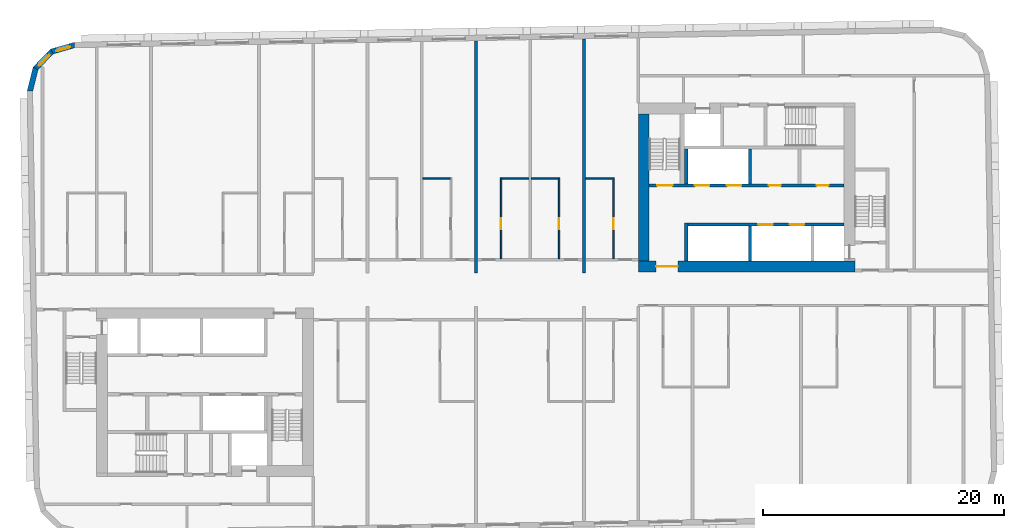
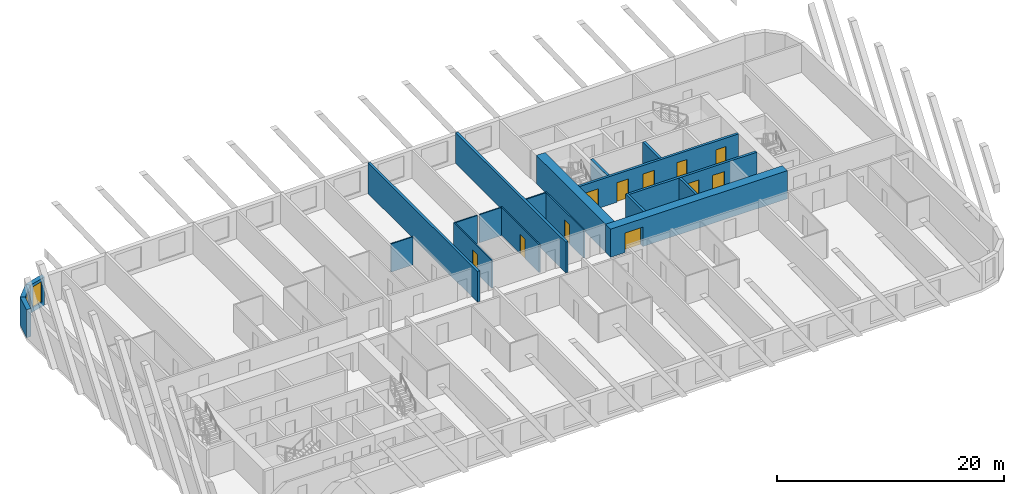
# One storey, part 5 of 12: 20 walls, 11 doors, 2 windows, 13 openings.
"""IFC4 building model written with IfcOpenShell, lengths in metres."""

from ifc_helpers import new_model, si_unit, direction, frame, frame_2d, origin, place, context, subcontext, project, spatial, polyline, rectangle, outline, extrude, material, layer, layer_set, type_object, element, fill, save


model = new_model("IFC4")

# Units and contexts
model_context = context("Model", 3, precision=1e-05, world=origin(), true_north=direction((0.0, 1.0)))
body_context = subcontext(model_context, "Body", "Model", "MODEL_VIEW")
ifc_project = project(units=[si_unit("LENGTHUNIT", "METRE"), si_unit("AREAUNIT", "SQUARE_METRE"), si_unit("VOLUMEUNIT", "CUBIC_METRE"), si_unit("PLANEANGLEUNIT", "RADIAN"), si_unit("MASSUNIT", "GRAM", prefix="KILO")], contexts=[model_context])

# Site, building, storey
site_placement = place(None, origin())
site = spatial("IfcSite", under=ifc_project, at=site_placement, CompositionType="ELEMENT")
building_placement = place(site_placement, origin())
building = spatial("IfcBuilding", under=site, at=building_placement, Name="Kajstack Hotel Tower", CompositionType="ELEMENT")
storey_placement = place(building_placement, frame((0.0, 0.0, 217.699951171875)))
storey = spatial("IfcBuildingStorey", under=building, at=storey_placement, Name="L52", CompositionType="ELEMENT", Elevation=217.699951171875)

# Wall, opening, door
ifc_material_1 = material(Name="Concrete C60/75", Category="concrete")
ifc_layer_1 = layer(ifc_material_1, 0.89990234375)
ifc_layer_set_1 = layer_set([ifc_layer_1], Name="Core wall 900")
wall_type_1 = type_object("IfcWallType", Name="Core wall 900", PredefinedType="SHEAR", material=ifc_layer_set_1)
wall_1_placement = place(storey_placement, frame((13.5, 1.949951171875, 0.0), z_axis=(0.0, 0.0, 1.0), x_axis=(1.0, 0.0, 0.0)))
wall_1 = element("IfcWall", 1, at=wall_1_placement, inside=storey, type_object=wall_type_1, Name="Core wall E RN", PredefinedType="SHEAR", context=body_context, shape_type="SweptSolid", body=[
    extrude(rectangle(XDim=18.0, YDim=0.89990234375, at=frame_2d((9.0, 0.0))), origin(), (0.0, 0.0, 1.0), 3.02001953125),
])
opening_1_placement = place(wall_1_placement, frame((1.47509765625, 0.0, 0.0)))
opening_1 = element("IfcOpeningElement", 2, at=opening_1_placement, cuts=wall_1, Name="Opening 52E07", PredefinedType="OPENING", context=body_context, shape_type="SweptSolid", body=[
    extrude(rectangle(XDim=1.800048828125, YDim=2.10009765625, at=frame_2d((0.89990234375, 1.050048828125))), frame((0.0, 0.4599609375, 0.0), z_axis=(0.0, -1.0, 0.0), x_axis=(1.0, 0.0, 0.0)), (0.0, 0.0, 1.0), 0.919921875),
])
ifc_material_2 = material(Name="Glazed steel frame, fire-rated glass", Category="steel")
door_type_1 = type_object("IfcDoorType", Name="Lobby double door 1800", OperationType="DOUBLE_DOOR_DOUBLE_SWING", PredefinedType="DOOR", material=ifc_material_2)
door_1_placement = place(opening_1_placement, origin())
door_1 = element("IfcDoor", 3, at=door_1_placement, inside=storey, type_object=door_type_1, Name="Door 52E07", OperationType="DOUBLE_DOOR_DOUBLE_SWING", OverallHeight=2.10009765625, OverallWidth=1.800048828125, PredefinedType="DOOR", context=body_context, shape_type="SweptSolid", body=[
    extrude(rectangle(XDim=1.800048828125, YDim=2.10009765625, at=frame_2d((0.89990234375, 1.050048828125))), frame((0.0, 0.02490234375, 0.0), z_axis=(0.0, -1.0, 0.0), x_axis=(1.0, 0.0, 0.0)), (0.0, 0.0, 1.0), 0.050048828125),
])
fill(opening_1, door_1)

# Wall
wall_2_placement = place(storey_placement, frame((13.949951171875, 2.39990234375, 0.0), z_axis=(0.0, 0.0, 1.0), x_axis=(0.0, 1.0, 0.0)))
element("IfcWall", 4, at=wall_2_placement, inside=storey, type_object=wall_type_1, Name="Core wall E RE", PredefinedType="SHEAR", context=body_context, shape_type="SweptSolid", body=[
    extrude(rectangle(XDim=12.2001953125, YDim=0.89990234375, at=frame_2d((6.10009765625, 0.0))), origin(), (0.0, 0.0, 1.0), 3.02001953125),
])

# Wall, opening, window
ifc_material_3 = material(Name="Terracotta-faced brick masonry", Category="masonry")
ifc_layer_2 = layer(ifc_material_3, 0.449951171875)
ifc_layer_set_2 = layer_set([ifc_layer_2], Name="EW-TERRA")
wall_type_2 = type_object("IfcWallType", Name="EW-TERRA", PredefinedType="SOLIDWALL", material=ifc_layer_set_2)
wall_3_placement = place(storey_placement, frame((-33.290283203125, 20.352294921875, 0.0), z_axis=(0.0, 0.0, 1.0), x_axis=(-0.961247584925, -0.275686562016, 0.0)))
wall_3 = element("IfcWall", 5, at=wall_3_placement, inside=storey, type_object=wall_type_2, Name="E-wall-L52-13-00", PredefinedType="SOLIDWALL", context=body_context, shape_type="SweptSolid", body=[
    extrude(outline(polyline([(0.0, -0.22509765625), (2.070556640625, -0.22509765625), (1.949951171875, 0.224853515625), (0.12060546875, 0.224853515625), (0.0, -0.22509765625)])), origin(), (0.0, 0.0, 1.0), 3.02001953125),
])
opening_2_placement = place(wall_3_placement, frame((0.435302734375, 0.0, 0.449951171875)))
opening_2 = element("IfcOpeningElement", 6, at=opening_2_placement, cuts=wall_3, Name="Opening W3", PredefinedType="OPENING", context=body_context, shape_type="SweptSolid", body=[
    extrude(rectangle(XDim=1.199951171875, YDim=2.25, at=frame_2d((0.60009765625, 1.125))), frame((0.0, 0.23486328125, 0.0), z_axis=(0.0, -1.0, 0.0), x_axis=(1.0, 0.0, 0.0)), (0.0, 0.0, 1.0), 0.469970703125),
])
ifc_material_4 = material(Name="Timber-aluminium window, triple glazed", Category="wood")
window_type = type_object("IfcWindowType", Name="WG3", PartitioningType="SINGLE_PANEL", PredefinedType="WINDOW", material=ifc_material_4)
window_1_placement = place(opening_2_placement, origin())
window_1 = element("IfcWindow", 7, at=window_1_placement, inside=storey, type_object=window_type, Name="Window W3 L52-13", OverallHeight=2.25, OverallWidth=1.199951171875, PartitioningType="SINGLE_PANEL", PredefinedType="WINDOW", context=body_context, shape_type="SweptSolid", body=[
    extrude(rectangle(XDim=1.199951171875, YDim=2.25, at=frame_2d((0.60009765625, 1.125))), frame((0.0, 0.090087890625, 0.0), z_axis=(0.0, -1.0, 0.0), x_axis=(1.0, 0.0, 0.0)), (0.0, 0.0, 1.0), 0.06005859375),
])
fill(opening_2, window_1)

wall_4_placement = place(storey_placement, frame((-35.1806640625, 19.841552734375, 0.0), z_axis=(0.0, 0.0, 1.0), x_axis=(-0.694678672846, -0.719320193998, 0.0)))
wall_4 = element("IfcWall", 8, at=wall_4_placement, inside=storey, type_object=wall_type_2, Name="E-wall-L52-14-00", PredefinedType="SOLIDWALL", context=body_context, shape_type="SweptSolid", body=[
    extrude(outline(polyline([(0.0, -0.22509765625), (2.07080078125, -0.22509765625), (1.9501953125, 0.224853515625), (0.12060546875, 0.224853515625), (0.0, -0.22509765625)])), origin(), (0.0, 0.0, 1.0), 3.02001953125),
])
opening_3_placement = place(wall_4_placement, frame((0.435302734375, 0.0, 0.449951171875)))
opening_3 = element("IfcOpeningElement", 9, at=opening_3_placement, cuts=wall_4, Name="Opening W3", PredefinedType="OPENING", context=body_context, shape_type="SweptSolid", body=[
    extrude(rectangle(XDim=1.199951171875, YDim=2.25, at=frame_2d((0.60009765625, 1.125))), frame((0.0, 0.23486328125, 0.0), z_axis=(0.0, -1.0, 0.0), x_axis=(1.0, 0.0, 0.0)), (0.0, 0.0, 1.0), 0.469970703125),
])
window_2_placement = place(opening_3_placement, origin())
window_2 = element("IfcWindow", 10, at=window_2_placement, inside=storey, type_object=window_type, Name="Window W3 L52-14", OverallHeight=2.25, OverallWidth=1.199951171875, PartitioningType="SINGLE_PANEL", PredefinedType="WINDOW", context=body_context, shape_type="SweptSolid", body=[
    extrude(rectangle(XDim=1.199951171875, YDim=2.25, at=frame_2d((0.60009765625, 1.125))), frame((0.0, 0.090087890625, 0.0), z_axis=(0.0, -1.0, 0.0), x_axis=(1.0, 0.0, 0.0)), (0.0, 0.0, 1.0), 0.06005859375),
])
fill(opening_3, window_2)

# Walls
wall_5_placement = place(storey_placement, frame((-36.562744140625, 18.453857421875, 0.0), z_axis=(0.0, 0.0, 1.0), x_axis=(-0.241869623482, -0.970308757683, 0.0)))
element("IfcWall", 11, at=wall_5_placement, inside=storey, type_object=wall_type_2, Name="E-wall-L52-15-00", PredefinedType="SOLIDWALL", context=body_context, shape_type="SweptSolid", body=[
    extrude(outline(polyline([(-0.000244140625, -0.224853515625), (2.0703125, -0.22509765625), (1.94970703125, 0.224853515625), (0.120361328125, 0.22509765625), (-0.000244140625, -0.224853515625)])), origin(), (0.0, 0.0, 1.0), 3.02001953125),
])
ifc_material_5 = material(Name="Gypsum board and tiled backer on steel studs", Category="steel")
ifc_layer_3 = layer(ifc_material_5, 0.125)
ifc_layer_set_3 = layer_set([ifc_layer_3], Name="En-suite wall 125")
wall_type_3 = type_object("IfcWallType", Name="En-suite wall 125", PredefinedType="PARTITIONING", material=ifc_layer_set_3)
wall_6_placement = place(storey_placement, frame((-4.39990234375, 9.261962890625, 0.0), z_axis=(0.0, 0.0, 1.0), x_axis=(1.0, 0.0, 0.0)))
element("IfcWall", 12, at=wall_6_placement, inside=storey, type_object=wall_type_3, Name="G-wall-L52-021", PredefinedType="PARTITIONING", context=body_context, shape_type="SweptSolid", body=[
    extrude(rectangle(XDim=2.25, YDim=0.125, at=frame_2d((1.125, 0.0))), origin(), (0.0, 0.0, 1.0), 3.02001953125),
])

# Wall, opening, door
wall_7_placement = place(storey_placement, frame((2.0869140625, 2.60009765625, 0.0), z_axis=(0.0, 0.0, 1.0), x_axis=(0.0, 1.0, 0.0)))
wall_7 = element("IfcWall", 13, at=wall_7_placement, inside=storey, type_object=wall_type_3, Name="G-wall-L52-023", PredefinedType="PARTITIONING", context=body_context, shape_type="SweptSolid", body=[
    extrude(rectangle(XDim=6.724853515625, YDim=0.125, at=frame_2d((3.3623046875, 0.0))), origin(), (0.0, 0.0, 1.0), 3.02001953125),
])
opening_4_placement = place(wall_7_placement, frame((2.449951171875, 0.0, 0.0)))
opening_4 = element("IfcOpeningElement", 14, at=opening_4_placement, cuts=wall_7, Name="Opening 52016", PredefinedType="OPENING", context=body_context, shape_type="SweptSolid", body=[
    extrude(rectangle(XDim=0.89990234375, YDim=2.10009765625, at=frame_2d((0.449951171875, 1.050048828125))), frame((0.0, 0.072509765625, 0.0), z_axis=(0.0, -1.0, 0.0), x_axis=(1.0, 0.0, 0.0)), (0.0, 0.0, 1.0), 0.14501953125),
])
ifc_material_6 = material(Name="Painted timber door leaf", Category="wood")
door_type_2 = type_object("IfcDoorType", Name="Room door 900", OperationType="SINGLE_SWING_LEFT", PredefinedType="DOOR", material=ifc_material_6)
door_2_placement = place(opening_4_placement, origin())
door_2 = element("IfcDoor", 15, at=door_2_placement, inside=storey, type_object=door_type_2, Name="G-door-L52-16", OperationType="SINGLE_SWING_RIGHT", OverallHeight=2.10009765625, OverallWidth=0.89990234375, PredefinedType="DOOR", context=body_context, shape_type="SweptSolid", body=[
    extrude(rectangle(XDim=0.89990234375, YDim=2.10009765625, at=frame_2d((0.449951171875, 1.050048828125))), frame((0.0, 0.02490234375, 0.0), z_axis=(0.0, -1.0, 0.0), x_axis=(1.0, 0.0, 0.0)), (0.0, 0.0, 1.0), 0.050048828125),
])
fill(opening_4, door_2)

# Wall
wall_8_placement = place(storey_placement, frame((2.14990234375, 9.261962890625, 0.0), z_axis=(0.0, 0.0, 1.0), x_axis=(1.0, 0.0, 0.0)))
element("IfcWall", 16, at=wall_8_placement, inside=storey, type_object=wall_type_3, Name="G-wall-L52-024", PredefinedType="PARTITIONING", context=body_context, shape_type="SweptSolid", body=[
    extrude(rectangle(XDim=2.25, YDim=0.125, at=frame_2d((1.125, 0.0))), origin(), (0.0, 0.0, 1.0), 3.02001953125),
])

# Wall, opening, door
wall_9_placement = place(storey_placement, frame((6.912109375, 2.60009765625, 0.0), z_axis=(0.0, 0.0, 1.0), x_axis=(0.0, 1.0, 0.0)))
wall_9 = element("IfcWall", 17, at=wall_9_placement, inside=storey, type_object=wall_type_3, Name="G-wall-L52-025", PredefinedType="PARTITIONING", context=body_context, shape_type="SweptSolid", body=[
    extrude(rectangle(XDim=6.724853515625, YDim=0.125, at=frame_2d((3.3623046875, 0.0))), origin(), (0.0, 0.0, 1.0), 3.02001953125),
])
opening_5_placement = place(wall_9_placement, frame((2.449951171875, 0.0, 0.0)))
opening_5 = element("IfcOpeningElement", 18, at=opening_5_placement, cuts=wall_9, Name="Opening 52018", PredefinedType="OPENING", context=body_context, shape_type="SweptSolid", body=[
    extrude(rectangle(XDim=0.89990234375, YDim=2.10009765625, at=frame_2d((0.449951171875, 1.050048828125))), frame((0.0, 0.072509765625, 0.0), z_axis=(0.0, -1.0, 0.0), x_axis=(1.0, 0.0, 0.0)), (0.0, 0.0, 1.0), 0.14501953125),
])
door_3_placement = place(opening_5_placement, origin())
door_3 = element("IfcDoor", 19, at=door_3_placement, inside=storey, type_object=door_type_2, Name="G-door-L52-18", OperationType="SINGLE_SWING_RIGHT", OverallHeight=2.10009765625, OverallWidth=0.89990234375, PredefinedType="DOOR", context=body_context, shape_type="SweptSolid", body=[
    extrude(rectangle(XDim=0.89990234375, YDim=2.10009765625, at=frame_2d((0.449951171875, 1.050048828125))), frame((0.0, 0.02490234375, 0.0), z_axis=(0.0, -1.0, 0.0), x_axis=(1.0, 0.0, 0.0)), (0.0, 0.0, 1.0), 0.050048828125),
])
fill(opening_5, door_3)

# Wall
wall_10_placement = place(storey_placement, frame((4.60009765625, 9.261962890625, 0.0), z_axis=(0.0, 0.0, 1.0), x_axis=(1.0, 0.0, 0.0)))
element("IfcWall", 20, at=wall_10_placement, inside=storey, type_object=wall_type_3, Name="G-wall-L52-026", PredefinedType="PARTITIONING", context=body_context, shape_type="SweptSolid", body=[
    extrude(rectangle(XDim=2.25, YDim=0.125, at=frame_2d((1.125, 0.0))), origin(), (0.0, 0.0, 1.0), 3.02001953125),
])

# Wall, opening, door
wall_11_placement = place(storey_placement, frame((11.43798828125, 2.60009765625, 0.0), z_axis=(0.0, 0.0, 1.0), x_axis=(0.0, 1.0, 0.0)))
wall_11 = element("IfcWall", 21, at=wall_11_placement, inside=storey, type_object=wall_type_3, Name="G-wall-L52-027", PredefinedType="PARTITIONING", context=body_context, shape_type="SweptSolid", body=[
    extrude(rectangle(XDim=6.724853515625, YDim=0.125, at=frame_2d((3.3623046875, 0.0))), origin(), (0.0, 0.0, 1.0), 3.02001953125),
])
opening_6_placement = place(wall_11_placement, frame((2.449951171875, 0.0, 0.0)))
opening_6 = element("IfcOpeningElement", 22, at=opening_6_placement, cuts=wall_11, Name="Opening 52020", PredefinedType="OPENING", context=body_context, shape_type="SweptSolid", body=[
    extrude(rectangle(XDim=0.89990234375, YDim=2.10009765625, at=frame_2d((0.449951171875, 1.050048828125))), frame((0.0, 0.072509765625, 0.0), z_axis=(0.0, -1.0, 0.0), x_axis=(1.0, 0.0, 0.0)), (0.0, 0.0, 1.0), 0.14501953125),
])
door_4_placement = place(opening_6_placement, origin())
door_4 = element("IfcDoor", 23, at=door_4_placement, inside=storey, type_object=door_type_2, Name="G-door-L52-20", OperationType="SINGLE_SWING_LEFT", OverallHeight=2.10009765625, OverallWidth=0.89990234375, PredefinedType="DOOR", context=body_context, shape_type="SweptSolid", body=[
    extrude(rectangle(XDim=0.89990234375, YDim=2.10009765625, at=frame_2d((0.449951171875, 1.050048828125))), frame((0.0, 0.02490234375, 0.0), z_axis=(0.0, -1.0, 0.0), x_axis=(1.0, 0.0, 0.0)), (0.0, 0.0, 1.0), 0.050048828125),
])
fill(opening_6, door_4)

# Walls
wall_12_placement = place(storey_placement, frame((9.125, 9.261962890625, 0.0), z_axis=(0.0, 0.0, 1.0), x_axis=(1.0, 0.0, 0.0)))
element("IfcWall", 24, at=wall_12_placement, inside=storey, type_object=wall_type_3, Name="G-wall-L52-028", PredefinedType="PARTITIONING", context=body_context, shape_type="SweptSolid", body=[
    extrude(rectangle(XDim=2.25, YDim=0.125, at=frame_2d((1.125, 0.0))), origin(), (0.0, 0.0, 1.0), 3.02001953125),
])
ifc_material_7 = material(Name="Concrete C50/60", Category="concrete")
ifc_layer_4 = layer(ifc_material_7, 0.300048828125)
ifc_layer_set_4 = layer_set([ifc_layer_4], Name="Hoistway divider wall 300")
wall_type_4 = type_object("IfcWallType", Name="Hoistway divider wall 300", PredefinedType="SHEAR", material=ifc_layer_set_4)
wall_13_placement = place(storey_placement, frame((22.77490234375, 2.39990234375, 0.0), z_axis=(0.0, 0.0, 1.0), x_axis=(0.0, 1.0, 0.0)))
element("IfcWall", 25, at=wall_13_placement, inside=storey, type_object=wall_type_4, Name="Core wall E AP2", PredefinedType="SHEAR", context=body_context, shape_type="SweptSolid", body=[
    extrude(rectangle(XDim=2.900146484375, YDim=0.25, at=frame_2d((1.4501953125, 0.0))), origin(), (0.0, 0.0, 1.0), 3.02001953125),
])
wall_14_placement = place(storey_placement, frame((22.77490234375, 8.800048828125, 0.0), z_axis=(0.0, 0.0, 1.0), x_axis=(0.0, 1.0, 0.0)))
element("IfcWall", 26, at=wall_14_placement, inside=storey, type_object=wall_type_4, Name="Core wall E BP2", PredefinedType="SHEAR", context=body_context, shape_type="SweptSolid", body=[
    extrude(rectangle(XDim=2.89990234375, YDim=0.25, at=frame_2d((1.449951171875, 0.0))), origin(), (0.0, 0.0, 1.0), 3.02001953125),
])
ifc_material_8 = material(Name="Concrete C45/55", Category="concrete")
ifc_layer_5 = layer(ifc_material_8, 0.25)
ifc_layer_set_5 = layer_set([ifc_layer_5], Name="RC cross wall 250 C45/55")
wall_type_5 = type_object("IfcWallType", Name="RC cross wall 250 C45/55", PredefinedType="SHEAR", material=ifc_layer_set_5)
wall_15_placement = place(storey_placement, frame((0.0, 1.39990234375, 0.0), z_axis=(0.0, 0.0, 1.0), x_axis=(0.0, 1.0, 0.0)))
element("IfcWall", 27, at=wall_15_placement, inside=storey, type_object=wall_type_5, Name="S-wall-L52-07", PredefinedType="SHEAR", context=body_context, shape_type="SweptSolid", body=[
    extrude(rectangle(XDim=19.28857421875, YDim=0.25, at=frame_2d((9.644287109375, 0.0))), origin(), (0.0, 0.0, 1.0), 3.300048828125),
])
wall_16_placement = place(storey_placement, frame((9.0, 1.39990234375, 0.0), z_axis=(0.0, 0.0, 1.0), x_axis=(0.0, 1.0, 0.0)))
element("IfcWall", 28, at=wall_16_placement, inside=storey, type_object=wall_type_5, Name="S-wall-L52-09", PredefinedType="SHEAR", context=body_context, shape_type="SweptSolid", body=[
    extrude(rectangle(XDim=19.44580078125, YDim=0.25, at=frame_2d((9.722900390625, 0.0))), origin(), (0.0, 0.0, 1.0), 3.300048828125),
])

# Wall, openings, doors
ifc_layer_6 = layer(ifc_material_7, 0.25)
ifc_layer_set_6 = layer_set([ifc_layer_6], Name="Shaft wall 250")
wall_type_6 = type_object("IfcWallType", Name="Shaft wall 250", PredefinedType="SHEAR", material=ifc_layer_set_6)
wall_17_placement = place(storey_placement, frame((17.60009765625, 5.425048828125, 0.0), z_axis=(0.0, 0.0, 1.0), x_axis=(1.0, 0.0, 0.0)))
wall_17 = element("IfcWall", 29, at=wall_17_placement, inside=storey, type_object=wall_type_6, Name="Core wall E FA", PredefinedType="SHEAR", context=body_context, shape_type="SweptSolid", body=[
    extrude(rectangle(XDim=13.0, YDim=0.25, at=frame_2d((6.5, 0.0))), origin(), (0.0, 0.0, 1.0), 3.02001953125),
])
opening_7_placement = place(wall_17_placement, frame((8.47509765625, 0.0, 0.0)))
opening_7 = element("IfcOpeningElement", 30, at=opening_7_placement, cuts=wall_17, Name="Opening LD-MR7", PredefinedType="OPENING", context=body_context, shape_type="SweptSolid", body=[
    extrude(rectangle(XDim=1.199951171875, YDim=2.10009765625, at=frame_2d((0.60009765625, 1.050048828125))), frame((0.0, 0.135009765625, 0.0), z_axis=(0.0, -1.0, 0.0), x_axis=(1.0, 0.0, 0.0)), (0.0, 0.0, 1.0), 0.27001953125),
])
opening_8_placement = place(wall_17_placement, frame((5.875, 0.0, 0.0)))
opening_8 = element("IfcOpeningElement", 31, at=opening_8_placement, cuts=wall_17, Name="Opening LD-MR8", PredefinedType="OPENING", context=body_context, shape_type="SweptSolid", body=[
    extrude(rectangle(XDim=1.199951171875, YDim=2.10009765625, at=frame_2d((0.60009765625, 1.050048828125))), frame((0.0, 0.135009765625, 0.0), z_axis=(0.0, -1.0, 0.0), x_axis=(1.0, 0.0, 0.0)), (0.0, 0.0, 1.0), 0.27001953125),
])
ifc_material_9 = material(Name="Stainless steel", Category="steel")
door_type_3 = type_object("IfcDoorType", Name="Lift landing door 1200", OperationType="SLIDING_TO_LEFT", PredefinedType="DOOR", material=ifc_material_9)
door_5_placement = place(opening_7_placement, origin())
door_5 = element("IfcDoor", 32, at=door_5_placement, inside=storey, type_object=door_type_3, Name="Landing door MR7", OperationType="SLIDING_TO_LEFT", OverallHeight=2.10009765625, OverallWidth=1.199951171875, PredefinedType="DOOR", context=body_context, shape_type="SweptSolid", body=[
    extrude(rectangle(XDim=1.199951171875, YDim=2.10009765625, at=frame_2d((0.60009765625, 1.050048828125))), frame((0.0, 0.02490234375, 0.0), z_axis=(0.0, -1.0, 0.0), x_axis=(1.0, 0.0, 0.0)), (0.0, 0.0, 1.0), 0.050048828125),
])
fill(opening_7, door_5)
door_6_placement = place(opening_8_placement, origin())
door_6 = element("IfcDoor", 33, at=door_6_placement, inside=storey, type_object=door_type_3, Name="Landing door MR8", OperationType="SLIDING_TO_RIGHT", OverallHeight=2.10009765625, OverallWidth=1.199951171875, PredefinedType="DOOR", context=body_context, shape_type="SweptSolid", body=[
    extrude(rectangle(XDim=1.199951171875, YDim=2.10009765625, at=frame_2d((0.60009765625, 1.050048828125))), frame((0.0, 0.02490234375, 0.0), z_axis=(0.0, -1.0, 0.0), x_axis=(1.0, 0.0, 0.0)), (0.0, 0.0, 1.0), 0.050048828125),
])
fill(opening_8, door_6)

# Wall
wall_18_placement = place(storey_placement, frame((17.47509765625, 2.39990234375, 0.0), z_axis=(0.0, 0.0, 1.0), x_axis=(0.0, 1.0, 0.0)))
element("IfcWall", 34, at=wall_18_placement, inside=storey, type_object=wall_type_6, Name="Core wall E AE", PredefinedType="SHEAR", context=body_context, shape_type="SweptSolid", body=[
    extrude(rectangle(XDim=3.150146484375, YDim=0.25, at=frame_2d((1.5751953125, 0.0))), origin(), (0.0, 0.0, 1.0), 3.02001953125),
])

# Wall, openings, doors
wall_19_placement = place(storey_placement, frame((14.39990234375, 8.675048828125, 0.0), z_axis=(0.0, 0.0, 1.0), x_axis=(1.0, 0.0, 0.0)))
wall_19 = element("IfcWall", 35, at=wall_19_placement, inside=storey, type_object=wall_type_6, Name="Core wall E FB", PredefinedType="SHEAR", context=body_context, shape_type="SweptSolid", body=[
    extrude(rectangle(XDim=16.2001953125, YDim=0.25, at=frame_2d((8.10009765625, 0.0))), origin(), (0.0, 0.0, 1.0), 3.02001953125),
])
opening_9_placement = place(wall_19_placement, frame((6.449951171875, 0.0, 0.0)))
opening_9 = element("IfcOpeningElement", 36, at=opening_9_placement, cuts=wall_19, Name="Opening LD-MR5", PredefinedType="OPENING", context=body_context, shape_type="SweptSolid", body=[
    extrude(rectangle(XDim=1.199951171875, YDim=2.10009765625, at=frame_2d((0.60009765625, 1.050048828125))), frame((0.0, 0.135009765625, 0.0), z_axis=(0.0, -1.0, 0.0), x_axis=(1.0, 0.0, 0.0)), (0.0, 0.0, 1.0), 0.27001953125),
])
opening_10_placement = place(wall_19_placement, frame((3.800048828125, 0.0, 0.0)))
opening_10 = element("IfcOpeningElement", 37, at=opening_10_placement, cuts=wall_19, Name="Opening LD-MR6", PredefinedType="OPENING", context=body_context, shape_type="SweptSolid", body=[
    extrude(rectangle(XDim=1.199951171875, YDim=2.10009765625, at=frame_2d((0.60009765625, 1.050048828125))), frame((0.0, 0.135009765625, 0.0), z_axis=(0.0, -1.0, 0.0), x_axis=(1.0, 0.0, 0.0)), (0.0, 0.0, 1.0), 0.27001953125),
])
opening_11_placement = place(wall_19_placement, frame((0.64990234375, 0.0, 0.0)))
opening_11 = element("IfcOpeningElement", 38, at=opening_11_placement, cuts=wall_19, Name="Opening 52E11", PredefinedType="OPENING", context=body_context, shape_type="SweptSolid", body=[
    extrude(rectangle(XDim=1.300048828125, YDim=2.10009765625, at=frame_2d((0.64990234375, 1.050048828125))), frame((0.0, 0.135009765625, 0.0), z_axis=(0.0, -1.0, 0.0), x_axis=(1.0, 0.0, 0.0)), (0.0, 0.0, 1.0), 0.27001953125),
])
opening_12_placement = place(wall_19_placement, frame((13.91259765625, 0.0, 0.0)))
opening_12 = element("IfcOpeningElement", 39, at=opening_12_placement, cuts=wall_19, Name="Opening 52E14", PredefinedType="OPENING", context=body_context, shape_type="SweptSolid", body=[
    extrude(rectangle(XDim=1.0, YDim=2.10009765625, at=frame_2d((0.5, 1.050048828125))), frame((0.0, 0.135009765625, 0.0), z_axis=(0.0, -1.0, 0.0), x_axis=(1.0, 0.0, 0.0)), (0.0, 0.0, 1.0), 0.27001953125),
])
opening_13_placement = place(wall_19_placement, frame((9.9375, 0.0, 0.0)))
opening_13 = element("IfcOpeningElement", 40, at=opening_13_placement, cuts=wall_19, Name="Opening 52E15", PredefinedType="OPENING", context=body_context, shape_type="SweptSolid", body=[
    extrude(rectangle(XDim=1.0, YDim=2.10009765625, at=frame_2d((0.5, 1.050048828125))), frame((0.0, 0.135009765625, 0.0), z_axis=(0.0, -1.0, 0.0), x_axis=(1.0, 0.0, 0.0)), (0.0, 0.0, 1.0), 0.27001953125),
])
door_7_placement = place(opening_9_placement, origin())
door_7 = element("IfcDoor", 41, at=door_7_placement, inside=storey, type_object=door_type_3, Name="Landing door MR5", OperationType="SLIDING_TO_LEFT", OverallHeight=2.10009765625, OverallWidth=1.199951171875, PredefinedType="DOOR", context=body_context, shape_type="SweptSolid", body=[
    extrude(rectangle(XDim=1.199951171875, YDim=2.10009765625, at=frame_2d((0.60009765625, 1.050048828125))), frame((0.0, 0.02490234375, 0.0), z_axis=(0.0, -1.0, 0.0), x_axis=(1.0, 0.0, 0.0)), (0.0, 0.0, 1.0), 0.050048828125),
])
fill(opening_9, door_7)
door_8_placement = place(opening_10_placement, origin())
door_8 = element("IfcDoor", 42, at=door_8_placement, inside=storey, type_object=door_type_3, Name="Landing door MR6", OperationType="SLIDING_TO_RIGHT", OverallHeight=2.10009765625, OverallWidth=1.199951171875, PredefinedType="DOOR", context=body_context, shape_type="SweptSolid", body=[
    extrude(rectangle(XDim=1.199951171875, YDim=2.10009765625, at=frame_2d((0.60009765625, 1.050048828125))), frame((0.0, 0.02490234375, 0.0), z_axis=(0.0, -1.0, 0.0), x_axis=(1.0, 0.0, 0.0)), (0.0, 0.0, 1.0), 0.050048828125),
])
fill(opening_10, door_8)
ifc_material_10 = material(Name="Timber leaf, fire-rated", Category="wood")
door_type_4 = type_object("IfcDoorType", Name="Service room door 1000", OperationType="SINGLE_SWING_LEFT", PredefinedType="DOOR", material=ifc_material_10)
door_9_placement = place(opening_12_placement, origin())
door_9 = element("IfcDoor", 43, at=door_9_placement, inside=storey, type_object=door_type_4, Name="Door 52E14", OperationType="SINGLE_SWING_LEFT", OverallHeight=2.10009765625, OverallWidth=1.0, PredefinedType="DOOR", context=body_context, shape_type="SweptSolid", body=[
    extrude(rectangle(XDim=1.0, YDim=2.10009765625, at=frame_2d((0.5, 1.050048828125))), frame((0.0, 0.02490234375, 0.0), z_axis=(0.0, -1.0, 0.0), x_axis=(1.0, 0.0, 0.0)), (0.0, 0.0, 1.0), 0.050048828125),
])
fill(opening_12, door_9)
door_10_placement = place(opening_13_placement, origin())
door_10 = element("IfcDoor", 44, at=door_10_placement, inside=storey, type_object=door_type_4, Name="Door 52E15", OperationType="SINGLE_SWING_LEFT", OverallHeight=2.10009765625, OverallWidth=1.0, PredefinedType="DOOR", context=body_context, shape_type="SweptSolid", body=[
    extrude(rectangle(XDim=1.0, YDim=2.10009765625, at=frame_2d((0.5, 1.050048828125))), frame((0.0, 0.02490234375, 0.0), z_axis=(0.0, -1.0, 0.0), x_axis=(1.0, 0.0, 0.0)), (0.0, 0.0, 1.0), 0.050048828125),
])
fill(opening_13, door_10)
ifc_material_11 = material(Name="Steel leaf, fire-rated", Category="steel")
door_type_5 = type_object("IfcDoorType", Name="Stair door 1300", OperationType="SINGLE_SWING_LEFT", PredefinedType="DOOR", material=ifc_material_11)
door_11_placement = place(opening_11_placement, origin())
door_11 = element("IfcDoor", 45, at=door_11_placement, inside=storey, type_object=door_type_5, Name="Door 52E11", OperationType="SINGLE_SWING_LEFT", OverallHeight=2.10009765625, OverallWidth=1.300048828125, PredefinedType="DOOR", context=body_context, shape_type="SweptSolid", body=[
    extrude(rectangle(XDim=1.300048828125, YDim=2.10009765625, at=frame_2d((0.64990234375, 1.050048828125))), frame((0.0, 0.02490234375, 0.0), z_axis=(0.0, -1.0, 0.0), x_axis=(1.0, 0.0, 0.0)), (0.0, 0.0, 1.0), 0.050048828125),
])
fill(opening_11, door_11)

# Wall
wall_20_placement = place(storey_placement, frame((17.47509765625, 8.800048828125, 0.0), z_axis=(0.0, 0.0, 1.0), x_axis=(0.0, 1.0, 0.0)))
element("IfcWall", 46, at=wall_20_placement, inside=storey, type_object=wall_type_6, Name="Core wall E BE", PredefinedType="SHEAR", context=body_context, shape_type="SweptSolid", body=[
    extrude(rectangle(XDim=2.89990234375, YDim=0.25, at=frame_2d((1.449951171875, 0.0))), origin(), (0.0, 0.0, 1.0), 3.02001953125),
])

save(model, "model.ifc")
